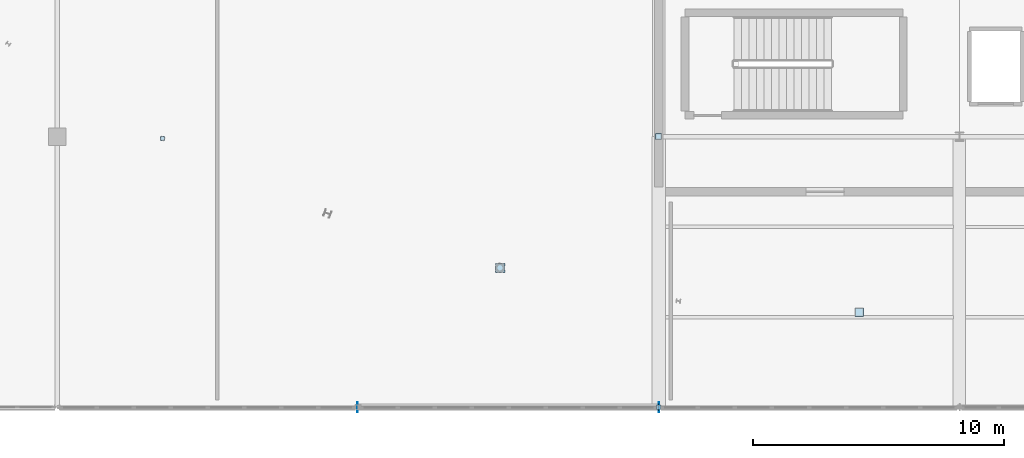
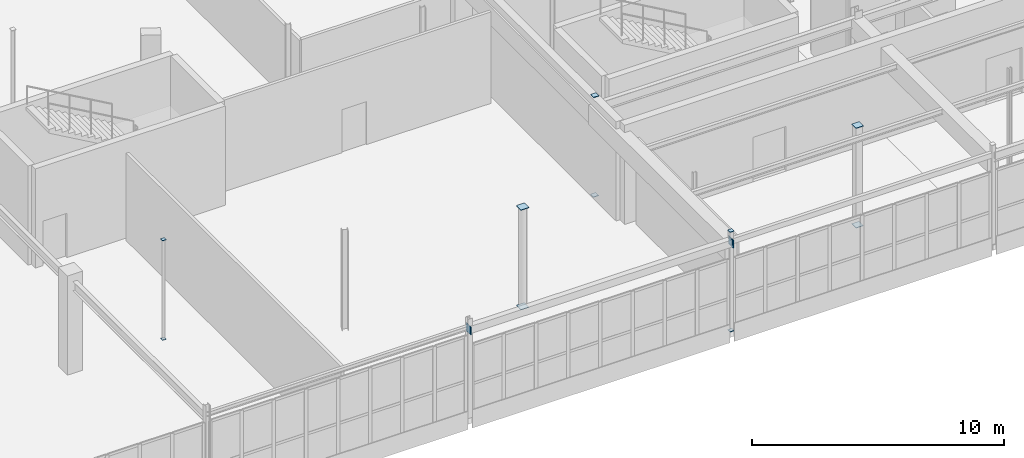
# One storey, part 161 of 226: 13 plates.
"""IFC4 building model written with IfcOpenShell, lengths in metres."""

from ifc_helpers import new_model, si_unit, direction, frame, origin, origin_2d, place, context, subcontext, project, spatial, rectangle, extrude, material, layer, layer_set, type_object, element, save


model = new_model("IFC4")

# Units and contexts
model_context = context("Model", 3, precision=1e-05, world=origin(), true_north=direction((0.0, 1.0)))
body_context = subcontext(model_context, "Body", "Model", "MODEL_VIEW")
ifc_project = project(units=[si_unit("LENGTHUNIT", "METRE"), si_unit("AREAUNIT", "SQUARE_METRE"), si_unit("VOLUMEUNIT", "CUBIC_METRE"), si_unit("PLANEANGLEUNIT", "RADIAN"), si_unit("MASSUNIT", "GRAM", prefix="KILO")], contexts=[model_context])

# Site, building, storey
site_placement = place(None, origin())
site = spatial("IfcSite", under=ifc_project, at=site_placement, CompositionType="ELEMENT")
building_placement = place(site_placement, origin())
building = spatial("IfcBuilding", under=site, at=building_placement, Name="Tarnwether General Hospital", CompositionType="ELEMENT")
storey_placement = place(building_placement, frame((0.0, 0.0, 4.800048828125)))
storey = spatial("IfcBuildingStorey", under=building, at=storey_placement, Name="L01", CompositionType="ELEMENT", Elevation=4.800048828125)

# Plates
ifc_material = material(Name="Steel Grade 350 (350 MPa)", Category="steel")
ifc_layer = layer(ifc_material, 0.02490234375)
ifc_layer_set = layer_set([ifc_layer], Name="Steel Grade 350 (350 MPa)")
plate_type = type_object("IfcPlateType", Name="PT-GUS2", PredefinedType="USERDEFINED", material=ifc_layer_set)
for number, where, z_axis, x_axis, name in (
    (1, (84.0, 0.0, -0.02490234375), (0.0, 0.0, 1.0), (1.0, 0.0, 0.0), "Hollow Section Welded End Cap Plate 0145"),
    (2, (84.0, 0.0, 4.800048828125), (0.0, 0.0, 1.0), (1.0, 0.0, 0.0), "Hollow Section Welded End Cap Plate 0146"),
):
    element("IfcPlate", number, at=place(storey_placement, frame(where, z_axis=z_axis, x_axis=x_axis)), inside=storey, type_object=plate_type, Name=name, ObjectType="GUSSET", PredefinedType="USERDEFINED", context=body_context, shape_type="SweptSolid", body=[
        extrude(rectangle(XDim=0.18994140625, YDim=0.18994140625, at=origin_2d()), origin(), (0.0, 0.0, 1.0), 0.02490234375),
    ])
for number, where, z_axis, x_axis, name in (
    (3, (84.0, 10.800048828125, -0.02490234375), (0.0, 0.0, 1.0), (1.0, 0.0, 0.0), "Hollow Section Welded End Cap Plate 0153"),
    (4, (84.0, 10.800048828125, 4.800048828125), (0.0, 0.0, 1.0), (1.0, 0.0, 0.0), "Hollow Section Welded End Cap Plate 0154"),
):
    element("IfcPlate", number, at=place(storey_placement, frame(where, z_axis=z_axis, x_axis=x_axis)), inside=storey, type_object=plate_type, Name=name, ObjectType="GUSSET", PredefinedType="USERDEFINED", context=body_context, shape_type="SweptSolid", body=[
        extrude(rectangle(XDim=0.239990234375, YDim=0.239990234375, at=origin_2d()), origin(), (0.0, 0.0, 1.0), 0.02490234375),
    ])
for number, where, z_axis, x_axis, name in (
    (5, (64.20703125, 10.72998046875, -0.02490234375), (0.0, 0.0, 1.0), (1.0, 0.0, 0.0), "Hollow Section Welded End Cap Plate 0627"),
    (6, (64.20703125, 10.72998046875, 4.800048828125), (0.0, 0.0, 1.0), (1.0, 0.0, 0.0), "Hollow Section Welded End Cap Plate 0628"),
):
    element("IfcPlate", number, at=place(storey_placement, frame(where, z_axis=z_axis, x_axis=x_axis)), inside=storey, type_object=plate_type, Name=name, ObjectType="GUSSET", PredefinedType="USERDEFINED", context=body_context, shape_type="SweptSolid", body=[
        extrude(rectangle(XDim=0.1650390625, YDim=0.1650390625, at=origin_2d()), origin(), (0.0, 0.0, 1.0), 0.02490234375),
    ])
for number, where, z_axis, x_axis, name in (
    (7, (77.677978515625, 5.55810546875, -0.02490234375), (0.0, 0.0, 1.0), (1.0, 0.0, 0.0), "Hollow Section Welded End Cap Plate 0649"),
    (8, (77.677978515625, 5.55810546875, 4.800048828125), (0.0, 0.0, 1.0), (1.0, 0.0, 0.0), "Hollow Section Welded End Cap Plate 0650"),
):
    element("IfcPlate", number, at=place(storey_placement, frame(where, z_axis=z_axis, x_axis=x_axis)), inside=storey, type_object=plate_type, Name=name, ObjectType="GUSSET", PredefinedType="USERDEFINED", context=body_context, shape_type="SweptSolid", body=[
        extrude(rectangle(XDim=0.364013671875, YDim=0.364013671875, at=origin_2d()), origin(), (0.0, 0.0, 1.0), 0.02490234375),
    ])
for number, where, z_axis, x_axis, name in (
    (9, (92.0, 3.800048828125, -0.02490234375), (0.0, 0.0, 1.0), (1.0, 0.0, 0.0), "Hollow Section Welded End Cap Plate 0679"),
    (10, (92.0, 3.800048828125, 4.800048828125), (0.0, 0.0, 1.0), (1.0, 0.0, 0.0), "Hollow Section Welded End Cap Plate 0680"),
):
    element("IfcPlate", number, at=place(storey_placement, frame(where, z_axis=z_axis, x_axis=x_axis)), inside=storey, type_object=plate_type, Name=name, ObjectType="GUSSET", PredefinedType="USERDEFINED", context=body_context, shape_type="SweptSolid", body=[
        extrude(rectangle(XDim=0.340087890625, YDim=0.340087890625, at=origin_2d()), origin(), (0.0, 0.0, 1.0), 0.02490234375),
    ])
for number, where, z_axis, x_axis, name in (
    (11, (71.987548828125, 0.0, 4.0751953125), (0.0, 0.0, 1.0), (1.0, 0.0, 0.0), "Hollow Section Welded End Cap Plate 0919"),
    (12, (84.012451171875, 0.0, 4.0751953125), (0.0, 0.0, 1.0), (1.0, 0.0, 0.0), "Hollow Section Welded End Cap Plate 0920"),
):
    element("IfcPlate", number, at=place(storey_placement, frame(where, z_axis=z_axis, x_axis=x_axis)), inside=storey, type_object=plate_type, Name=name, ObjectType="GUSSET", PredefinedType="USERDEFINED", context=body_context, shape_type="SweptSolid", body=[
        extrude(rectangle(XDim=0.02490234375, YDim=0.389892578125, at=origin_2d()), origin(), (0.0, 0.0, 1.0), 0.389892578125),
    ])
plate_placement = place(storey_placement, frame((83.987548828125, 0.0, 4.175048828125), z_axis=(0.0, 0.0, 1.0), x_axis=(1.0, 0.0, 0.0)))
element("IfcPlate", 13, at=plate_placement, inside=storey, type_object=plate_type, Name="Hollow Section Welded End Cap Plate 0921", ObjectType="GUSSET", PredefinedType="USERDEFINED", context=body_context, shape_type="SweptSolid", body=[
    extrude(rectangle(XDim=0.02490234375, YDim=0.2900390625, at=origin_2d()), origin(), (0.0, 0.0, 1.0), 0.2900390625),
])

save(model, "model.ifc")
